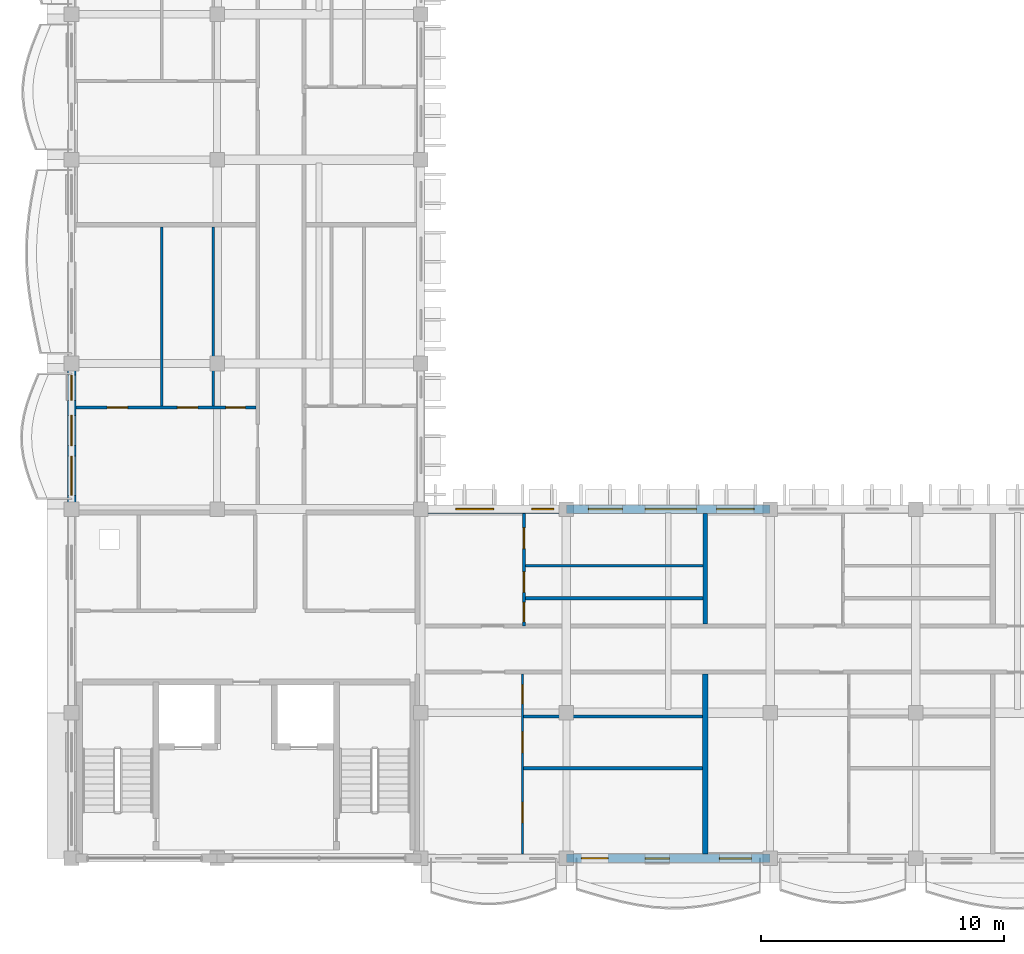
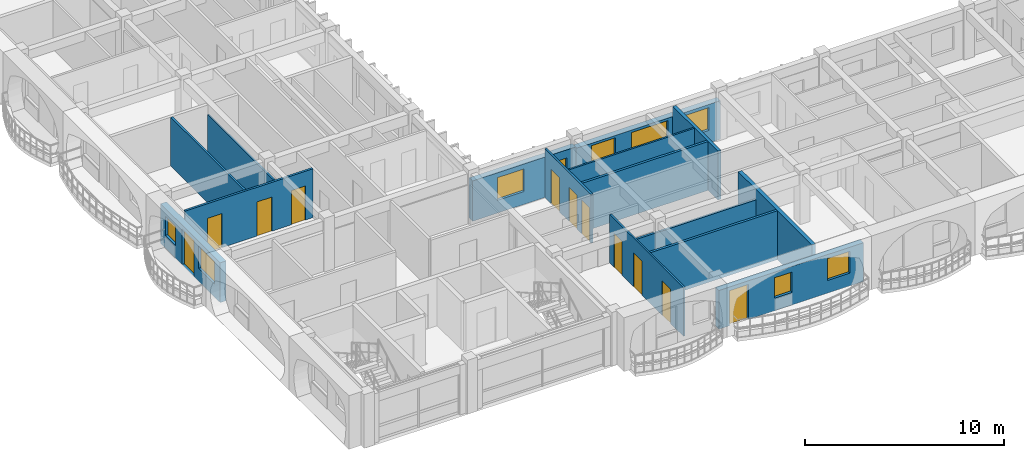
# One storey, part 42 of 101: 15 walls, 11 doors, 9 windows, 20 openings.
"""IFC4 building model written with IfcOpenShell, lengths in metres."""

from ifc_helpers import new_model, si_unit, direction, frame, frame_2d, origin, place, context, subcontext, project, spatial, rectangle, extrude, material, layer, layer_set, type_object, element, fill, save


model = new_model("IFC4")

# Units and contexts
model_context = context("Model", 3, precision=1e-05, world=origin(), true_north=direction((0.0, 1.0)))
body_context = subcontext(model_context, "Body", "Model", "MODEL_VIEW")
ifc_project = project(units=[si_unit("LENGTHUNIT", "METRE"), si_unit("AREAUNIT", "SQUARE_METRE"), si_unit("VOLUMEUNIT", "CUBIC_METRE"), si_unit("PLANEANGLEUNIT", "RADIAN"), si_unit("MASSUNIT", "GRAM", prefix="KILO"), si_unit("THERMODYNAMICTEMPERATUREUNIT", "KELVIN")], contexts=[model_context])

# Site, building, storey
site_placement = place(None, origin())
site = spatial("IfcSite", under=ifc_project, at=site_placement, CompositionType="ELEMENT")
building_placement = place(site_placement, origin())
building = spatial("IfcBuilding", under=site, at=building_placement, Name="Thalorik Housing Commons", CompositionType="ELEMENT")
storey_placement = place(building_placement, frame((0.0, 0.0, 8.10009765625)))
storey = spatial("IfcBuildingStorey", under=building, at=storey_placement, Name="L02", CompositionType="ELEMENT", Elevation=8.10009765625)

# Wall, openings, door, windows
ifc_material_1 = material(Name="White precast concrete C40/50", Category="concrete")
ifc_layer_1 = layer(ifc_material_1, 0.35009765625, Name="White precast concrete C40/50", Category="concrete")
ifc_layer_set_1 = layer_set([ifc_layer_1], Name="White precast concrete C40/50")
wall_type_1 = type_object("IfcWallType", Name="ARC-WAL-EXT-350", PredefinedType="STANDARD", material=ifc_layer_set_1)
wall_1_placement = place(storey_placement, frame((8.39990234375, 28.800048828125, 0.0), z_axis=(0.0, 0.0, 1.0), x_axis=(0.0, -1.0, 0.0)))
wall_1 = element("IfcWall", 1, at=wall_1_placement, inside=storey, type_object=wall_type_1, Name="L02 Exterior Wall WAL-EXT-L02-C-0888", PredefinedType="STANDARD", context=body_context, shape_type="SweptSolid", body=[
    extrude(rectangle(XDim=6.0, YDim=0.35009765625, at=frame_2d((3.0, 0.0))), origin(), (0.0, 0.0, 1.0), 2.44482421875),
])
opening_1_placement = place(wall_1_placement, frame((2.139892578125, 0.0, 0.0)))
opening_1 = element("IfcOpeningElement", 2, at=opening_1_placement, cuts=wall_1, Name="Opening ED-0292", PredefinedType="OPENING", context=body_context, shape_type="SweptSolid", body=[
    extrude(rectangle(XDim=1.25, YDim=2.199951171875, at=frame_2d((0.625, 1.10009765625))), frame((0.0, 0.18505859375, 0.0), z_axis=(0.0, -1.0, 0.0), x_axis=(1.0, 0.0, 0.0)), (0.0, 0.0, 1.0), 0.3701171875),
])
opening_2_placement = place(wall_1_placement, frame((0.47509765625, 0.0, 0.780029296875)))
opening_2 = element("IfcOpeningElement", 3, at=opening_2_placement, cuts=wall_1, Name="Opening W-44", PredefinedType="OPENING", context=body_context, shape_type="SweptSolid", body=[
    extrude(rectangle(XDim=1.050048828125, YDim=1.199951171875, at=frame_2d((0.52490234375, 0.60009765625))), frame((0.0, 0.18505859375, 0.0), z_axis=(0.0, -1.0, 0.0), x_axis=(1.0, 0.0, 0.0)), (0.0, 0.0, 1.0), 0.3701171875),
])
opening_3_placement = place(wall_1_placement, frame((3.81494140625, 0.0, 0.780029296875)))
opening_3 = element("IfcOpeningElement", 4, at=opening_3_placement, cuts=wall_1, Name="Opening W-54", PredefinedType="OPENING", context=body_context, shape_type="SweptSolid", body=[
    extrude(rectangle(XDim=1.6201171875, YDim=1.3798828125, at=frame_2d((0.81005859375, 0.68994140625))), frame((0.0, 0.18505859375, 0.0), z_axis=(0.0, -1.0, 0.0), x_axis=(1.0, 0.0, 0.0)), (0.0, 0.0, 1.0), 0.3701171875),
])
ifc_material_2 = material(Name="Anodised aluminium and laminated safety glass", Category="aluminium")
door_type_1 = type_object("IfcDoorType", Name="ARC-DR-BAL-1250", OperationType="NOTDEFINED", PredefinedType="DOOR", material=ifc_material_2)
door_1_placement = place(opening_1_placement, frame((1.25, 0.0, 0.0), z_axis=(0.0, 0.0, 1.0), x_axis=(-1.0, 0.0, 0.0)))
door_1 = element("IfcDoor", 5, at=door_1_placement, inside=storey, type_object=door_type_1, Name="L02 Block C Balcony Glazed Door", OperationType="SINGLE_SWING_LEFT", OverallHeight=2.199951171875, OverallWidth=1.25, PredefinedType="DOOR", context=body_context, shape_type="SweptSolid", body=[
    extrude(rectangle(XDim=1.25, YDim=2.199951171875, at=frame_2d((0.625, 1.10009765625))), frame((0.0, 0.02490234375, 0.0), z_axis=(0.0, -1.0, 0.0), x_axis=(1.0, 0.0, 0.0)), (0.0, 0.0, 1.0), 0.050048828125),
])
fill(opening_1, door_1)
ifc_material_3 = material(Name="Anodised aluminium and solar-control low-E glass", Category="aluminium")
window_type_1 = type_object("IfcWindowType", Name="ARC-WIN-44", PartitioningType="SINGLE_PANEL", PredefinedType="WINDOW", material=ifc_material_3)
window_1_placement = place(opening_2_placement, origin())
window_1 = element("IfcWindow", 6, at=window_1_placement, inside=storey, type_object=window_type_1, Name="L02 Facade Window 1643", OverallHeight=1.199951171875, OverallWidth=1.050048828125, PartitioningType="SINGLE_PANEL", PredefinedType="WINDOW", context=body_context, shape_type="SweptSolid", body=[
    extrude(rectangle(XDim=1.050048828125, YDim=1.199951171875, at=frame_2d((0.52490234375, 0.60009765625))), frame((0.0, 0.030029296875, 0.0), z_axis=(0.0, -1.0, 0.0), x_axis=(1.0, 0.0, 0.0)), (0.0, 0.0, 1.0), 0.06005859375),
])
fill(opening_2, window_1)
window_type_2 = type_object("IfcWindowType", Name="ARC-WIN-54", PartitioningType="DOUBLE_PANEL_VERTICAL", PredefinedType="WINDOW", material=ifc_material_3)
window_2_placement = place(opening_3_placement, origin())
window_2 = element("IfcWindow", 7, at=window_2_placement, inside=storey, type_object=window_type_2, Name="L02 Facade Window 1644", OverallHeight=1.3798828125, OverallWidth=1.6201171875, PartitioningType="DOUBLE_PANEL_VERTICAL", PredefinedType="WINDOW", context=body_context, shape_type="SweptSolid", body=[
    extrude(rectangle(XDim=1.6201171875, YDim=1.3798828125, at=frame_2d((0.81005859375, 0.68994140625))), frame((0.0, 0.030029296875, 0.0), z_axis=(0.0, -1.0, 0.0), x_axis=(1.0, 0.0, 0.0)), (0.0, 0.0, 1.0), 0.06005859375),
])
fill(opening_3, window_2)

wall_2_placement = place(storey_placement, frame((28.800048828125, 8.39990234375, 0.0), z_axis=(0.0, 0.0, 1.0), x_axis=(1.0, 0.0, 0.0)))
wall_2 = element("IfcWall", 8, at=wall_2_placement, inside=storey, type_object=wall_type_1, Name="L02 Exterior Wall WAL-EXT-L02-C-0894", PredefinedType="STANDARD", context=body_context, shape_type="SweptSolid", body=[
    extrude(rectangle(XDim=8.39990234375, YDim=0.35009765625, at=frame_2d((4.199951171875, 0.0))), origin(), (0.0, 0.0, 1.0), 2.375),
])
opening_4_placement = place(wall_2_placement, frame((0.6201171875, 0.0, 0.0)))
opening_4 = element("IfcOpeningElement", 9, at=opening_4_placement, cuts=wall_2, Name="Opening ED-0294", PredefinedType="OPENING", context=body_context, shape_type="SweptSolid", body=[
    extrude(rectangle(XDim=1.10009765625, YDim=2.14990234375, at=frame_2d((0.550048828125, 1.074951171875))), frame((0.0, 0.18505859375, 0.0), z_axis=(0.0, -1.0, 0.0), x_axis=(1.0, 0.0, 0.0)), (0.0, 0.0, 1.0), 0.3701171875),
])
opening_5_placement = place(wall_2_placement, frame((3.2451171875, 0.0, 0.780029296875)))
opening_5 = element("IfcOpeningElement", 10, at=opening_5_placement, cuts=wall_2, Name="Opening W-02", PredefinedType="OPENING", context=body_context, shape_type="SweptSolid", body=[
    extrude(rectangle(XDim=1.0, YDim=1.25, at=frame_2d((0.5, 0.625))), frame((0.0, 0.18505859375, 0.0), z_axis=(0.0, -1.0, 0.0), x_axis=(1.0, 0.0, 0.0)), (0.0, 0.0, 1.0), 0.3701171875),
])
opening_6_placement = place(wall_2_placement, frame((6.304931640625, 0.0, 0.780029296875)))
opening_6 = element("IfcOpeningElement", 11, at=opening_6_placement, cuts=wall_2, Name="Opening W-48", PredefinedType="OPENING", context=body_context, shape_type="SweptSolid", body=[
    extrude(rectangle(XDim=1.320068359375, YDim=1.35009765625, at=frame_2d((0.66015625, 0.675048828125))), frame((0.0, 0.18505859375, 0.0), z_axis=(0.0, -1.0, 0.0), x_axis=(1.0, 0.0, 0.0)), (0.0, 0.0, 1.0), 0.3701171875),
])
door_type_2 = type_object("IfcDoorType", Name="ARC-DR-BAL-1100", OperationType="NOTDEFINED", PredefinedType="DOOR", material=ifc_material_2)
door_2_placement = place(opening_4_placement, frame((1.10009765625, 0.0, 0.0), z_axis=(0.0, 0.0, 1.0), x_axis=(-1.0, 0.0, 0.0)))
door_2 = element("IfcDoor", 12, at=door_2_placement, inside=storey, type_object=door_type_2, Name="L02 Block C Balcony Glazed Door", OperationType="SINGLE_SWING_LEFT", OverallHeight=2.14990234375, OverallWidth=1.10009765625, PredefinedType="DOOR", context=body_context, shape_type="SweptSolid", body=[
    extrude(rectangle(XDim=1.10009765625, YDim=2.14990234375, at=frame_2d((0.550048828125, 1.074951171875))), frame((0.0, 0.02490234375, 0.0), z_axis=(0.0, -1.0, 0.0), x_axis=(1.0, 0.0, 0.0)), (0.0, 0.0, 1.0), 0.050048828125),
])
fill(opening_4, door_2)
window_type_3 = type_object("IfcWindowType", Name="ARC-WIN-02", PartitioningType="SINGLE_PANEL", PredefinedType="WINDOW", material=ifc_material_3)
window_3_placement = place(opening_5_placement, origin())
window_3 = element("IfcWindow", 13, at=window_3_placement, inside=storey, type_object=window_type_3, Name="L02 Facade Window 1651", OverallHeight=1.25, OverallWidth=1.0, PartitioningType="SINGLE_PANEL", PredefinedType="WINDOW", context=body_context, shape_type="SweptSolid", body=[
    extrude(rectangle(XDim=1.0, YDim=1.25, at=frame_2d((0.5, 0.625))), frame((0.0, 0.030029296875, 0.0), z_axis=(0.0, -1.0, 0.0), x_axis=(1.0, 0.0, 0.0)), (0.0, 0.0, 1.0), 0.06005859375),
])
fill(opening_5, window_3)
window_type_4 = type_object("IfcWindowType", Name="ARC-WIN-48", PartitioningType="SINGLE_PANEL", PredefinedType="WINDOW", material=ifc_material_3)
window_4_placement = place(opening_6_placement, origin())
window_4 = element("IfcWindow", 14, at=window_4_placement, inside=storey, type_object=window_type_4, Name="L02 Facade Window 1652", OverallHeight=1.35009765625, OverallWidth=1.320068359375, PartitioningType="SINGLE_PANEL", PredefinedType="WINDOW", context=body_context, shape_type="SweptSolid", body=[
    extrude(rectangle(XDim=1.320068359375, YDim=1.35009765625, at=frame_2d((0.66015625, 0.675048828125))), frame((0.0, 0.030029296875, 0.0), z_axis=(0.0, -1.0, 0.0), x_axis=(1.0, 0.0, 0.0)), (0.0, 0.0, 1.0), 0.06005859375),
])
fill(opening_6, window_4)

# Wall, openings, windows
wall_3_placement = place(storey_placement, frame((37.199951171875, 22.800048828125, 0.0), z_axis=(0.0, 0.0, 1.0), x_axis=(-1.0, 0.0, 0.0)))
wall_3 = element("IfcWall", 15, at=wall_3_placement, inside=storey, type_object=wall_type_1, Name="L02 Exterior Wall WAL-EXT-L02-C-0903", PredefinedType="STANDARD", context=body_context, shape_type="SweptSolid", body=[
    extrude(rectangle(XDim=8.39990234375, YDim=0.35009765625, at=frame_2d((4.199951171875, 0.0))), origin(), (0.0, 0.0, 1.0), 2.375),
])
opening_7_placement = place(wall_3_placement, frame((0.659912109375, 0.0, 0.780029296875)))
opening_7 = element("IfcOpeningElement", 16, at=opening_7_placement, cuts=wall_3, Name="Opening W-12", PredefinedType="OPENING", context=body_context, shape_type="SweptSolid", body=[
    extrude(rectangle(XDim=1.550048828125, YDim=1.39990234375, at=frame_2d((0.77490234375, 0.699951171875))), frame((0.0, 0.18505859375, 0.0), z_axis=(0.0, -1.0, 0.0), x_axis=(1.0, 0.0, 0.0)), (0.0, 0.0, 1.0), 0.3701171875),
])
opening_8_placement = place(wall_3_placement, frame((3.03759765625, 0.0, 0.780029296875)))
opening_8 = element("IfcOpeningElement", 17, at=opening_8_placement, cuts=wall_3, Name="Opening W-64", PredefinedType="OPENING", context=body_context, shape_type="SweptSolid", body=[
    extrude(rectangle(XDim=2.1201171875, YDim=1.43994140625, at=frame_2d((1.06005859375, 0.719970703125))), frame((0.0, 0.18505859375, 0.0), z_axis=(0.0, -1.0, 0.0), x_axis=(1.0, 0.0, 0.0)), (0.0, 0.0, 1.0), 0.3701171875),
])
opening_9_placement = place(wall_3_placement, frame((6.092529296875, 0.0, 0.780029296875)))
opening_9 = element("IfcOpeningElement", 18, at=opening_9_placement, cuts=wall_3, Name="Opening W-08", PredefinedType="OPENING", context=body_context, shape_type="SweptSolid", body=[
    extrude(rectangle(XDim=1.39990234375, YDim=1.449951171875, at=frame_2d((0.699951171875, 0.72509765625))), frame((0.0, 0.18505859375, 0.0), z_axis=(0.0, -1.0, 0.0), x_axis=(1.0, 0.0, 0.0)), (0.0, 0.0, 1.0), 0.3701171875),
])
window_type_5 = type_object("IfcWindowType", Name="ARC-WIN-08", PartitioningType="SINGLE_PANEL", PredefinedType="WINDOW", material=ifc_material_3)
window_5_placement = place(opening_9_placement, origin())
window_5 = element("IfcWindow", 19, at=window_5_placement, inside=storey, type_object=window_type_5, Name="L02 Facade Window 1672", OverallHeight=1.449951171875, OverallWidth=1.39990234375, PartitioningType="SINGLE_PANEL", PredefinedType="WINDOW", context=body_context, shape_type="SweptSolid", body=[
    extrude(rectangle(XDim=1.39990234375, YDim=1.449951171875, at=frame_2d((0.699951171875, 0.72509765625))), frame((0.0, 0.030029296875, 0.0), z_axis=(0.0, -1.0, 0.0), x_axis=(1.0, 0.0, 0.0)), (0.0, 0.0, 1.0), 0.06005859375),
])
fill(opening_9, window_5)
window_type_6 = type_object("IfcWindowType", Name="ARC-WIN-12", PartitioningType="SINGLE_PANEL", PredefinedType="WINDOW", material=ifc_material_3)
window_6_placement = place(opening_7_placement, origin())
window_6 = element("IfcWindow", 20, at=window_6_placement, inside=storey, type_object=window_type_6, Name="L02 Facade Window 1670", OverallHeight=1.39990234375, OverallWidth=1.550048828125, PartitioningType="SINGLE_PANEL", PredefinedType="WINDOW", context=body_context, shape_type="SweptSolid", body=[
    extrude(rectangle(XDim=1.550048828125, YDim=1.39990234375, at=frame_2d((0.77490234375, 0.699951171875))), frame((0.0, 0.030029296875, 0.0), z_axis=(0.0, -1.0, 0.0), x_axis=(1.0, 0.0, 0.0)), (0.0, 0.0, 1.0), 0.06005859375),
])
fill(opening_7, window_6)
window_type_7 = type_object("IfcWindowType", Name="ARC-WIN-64", PartitioningType="DOUBLE_PANEL_VERTICAL", PredefinedType="WINDOW", material=ifc_material_3)
window_7_placement = place(opening_8_placement, origin())
window_7 = element("IfcWindow", 21, at=window_7_placement, inside=storey, type_object=window_type_7, Name="L02 Facade Window 1671", OverallHeight=1.43994140625, OverallWidth=2.1201171875, PartitioningType="DOUBLE_PANEL_VERTICAL", PredefinedType="WINDOW", context=body_context, shape_type="SweptSolid", body=[
    extrude(rectangle(XDim=2.1201171875, YDim=1.43994140625, at=frame_2d((1.06005859375, 0.719970703125))), frame((0.0, 0.030029296875, 0.0), z_axis=(0.0, -1.0, 0.0), x_axis=(1.0, 0.0, 0.0)), (0.0, 0.0, 1.0), 0.06005859375),
])
fill(opening_8, window_7)

wall_4_placement = place(storey_placement, frame((28.800048828125, 22.800048828125, 0.0), z_axis=(0.0, 0.0, 1.0), x_axis=(-1.0, 0.0, 0.0)))
wall_4 = element("IfcWall", 22, at=wall_4_placement, inside=storey, type_object=wall_type_1, Name="L02 Exterior Wall WAL-EXT-L02-C-0904", PredefinedType="STANDARD", context=body_context, shape_type="SweptSolid", body=[
    extrude(rectangle(XDim=6.0, YDim=0.35009765625, at=frame_2d((3.0, 0.0))), origin(), (0.0, 0.0, 1.0), 2.474853515625),
])
opening_10_placement = place(wall_4_placement, frame((0.5185546875, 0.0, 0.780029296875)))
opening_10 = element("IfcOpeningElement", 23, at=opening_10_placement, cuts=wall_4, Name="Opening W-01", PredefinedType="OPENING", context=body_context, shape_type="SweptSolid", body=[
    extrude(rectangle(XDim=0.89990234375, YDim=1.199951171875, at=frame_2d((0.449951171875, 0.60009765625))), frame((0.0, 0.18505859375, 0.0), z_axis=(0.0, -1.0, 0.0), x_axis=(1.0, 0.0, 0.0)), (0.0, 0.0, 1.0), 0.3701171875),
])
opening_11_placement = place(wall_4_placement, frame((3.003662109375, 0.0, 0.780029296875)))
opening_11 = element("IfcOpeningElement", 24, at=opening_11_placement, cuts=wall_4, Name="Opening W-12", PredefinedType="OPENING", context=body_context, shape_type="SweptSolid", body=[
    extrude(rectangle(XDim=1.550048828125, YDim=1.39990234375, at=frame_2d((0.77490234375, 0.699951171875))), frame((0.0, 0.18505859375, 0.0), z_axis=(0.0, -1.0, 0.0), x_axis=(1.0, 0.0, 0.0)), (0.0, 0.0, 1.0), 0.3701171875),
])
window_type_8 = type_object("IfcWindowType", Name="ARC-WIN-01", PartitioningType="SINGLE_PANEL", PredefinedType="WINDOW", material=ifc_material_3)
window_8_placement = place(opening_10_placement, origin())
window_8 = element("IfcWindow", 25, at=window_8_placement, inside=storey, type_object=window_type_8, Name="L02 Facade Window 1673", OverallHeight=1.199951171875, OverallWidth=0.89990234375, PartitioningType="SINGLE_PANEL", PredefinedType="WINDOW", context=body_context, shape_type="SweptSolid", body=[
    extrude(rectangle(XDim=0.89990234375, YDim=1.199951171875, at=frame_2d((0.449951171875, 0.60009765625))), frame((0.0, 0.030029296875, 0.0), z_axis=(0.0, -1.0, 0.0), x_axis=(1.0, 0.0, 0.0)), (0.0, 0.0, 1.0), 0.06005859375),
])
fill(opening_10, window_8)
window_9_placement = place(opening_11_placement, origin())
window_9 = element("IfcWindow", 26, at=window_9_placement, inside=storey, type_object=window_type_6, Name="L02 Facade Window 1674", OverallHeight=1.39990234375, OverallWidth=1.550048828125, PartitioningType="SINGLE_PANEL", PredefinedType="WINDOW", context=body_context, shape_type="SweptSolid", body=[
    extrude(rectangle(XDim=1.550048828125, YDim=1.39990234375, at=frame_2d((0.77490234375, 0.699951171875))), frame((0.0, 0.030029296875, 0.0), z_axis=(0.0, -1.0, 0.0), x_axis=(1.0, 0.0, 0.0)), (0.0, 0.0, 1.0), 0.06005859375),
])
fill(opening_11, window_9)

# Wall
ifc_material_4 = material(Name="Gypsum light stud partition", Category="masonry")
ifc_layer_2 = layer(ifc_material_4, 0.10009765625, Name="Gypsum light stud partition", Category="masonry")
ifc_layer_set_2 = layer_set([ifc_layer_2], Name="Gypsum light stud partition")
wall_type_2 = type_object("IfcWallType", Name="ARC-WAL-PART-100", PredefinedType="PARTITIONING", material=ifc_layer_set_2)
wall_5_placement = place(storey_placement, frame((14.251220703125, 27.054443359375, 0.0), z_axis=(0.0, 0.0, 1.0), x_axis=(0.0, 1.0, 0.0)))
element("IfcWall", 27, at=wall_5_placement, inside=storey, type_object=wall_type_2, Name="L02 Unit 1 Wet Wall", PredefinedType="PARTITIONING", context=body_context, shape_type="SweptSolid", body=[
    extrude(rectangle(XDim=7.37109375, YDim=0.10009765625, at=frame_2d((3.685546875, 0.0))), origin(), (0.0, 0.0, 1.0), 2.4248046875),
])

# Wall, openings, doors
wall_6_placement = place(storey_placement, frame((26.989990234375, 8.576904296875, 0.0), z_axis=(0.0, 0.0, 1.0), x_axis=(0.0, 1.0, 0.0)))
wall_6 = element("IfcWall", 28, at=wall_6_placement, inside=storey, type_object=wall_type_2, Name="L02 Unit 1 Spine Partition", PredefinedType="PARTITIONING", context=body_context, shape_type="SweptSolid", body=[
    extrude(rectangle(XDim=7.426025390625, YDim=0.10009765625, at=frame_2d((3.712890625, 0.0))), origin(), (0.0, 0.0, 1.0), 3.0),
])
opening_12_placement = place(wall_6_placement, frame((1.286865234375, 0.0, 0.0)))
opening_12 = element("IfcOpeningElement", 29, at=opening_12_placement, cuts=wall_6, Name="Opening ID-1626", PredefinedType="OPENING", context=body_context, shape_type="SweptSolid", body=[
    extrude(rectangle(XDim=0.85009765625, YDim=2.10009765625, at=frame_2d((0.425048828125, 1.050048828125))), frame((0.0, 0.06005859375, 0.0), z_axis=(0.0, -1.0, 0.0), x_axis=(1.0, 0.0, 0.0)), (0.0, 0.0, 1.0), 0.1201171875),
])
opening_13_placement = place(wall_6_placement, frame((4.182373046875, 0.0, 0.0)))
opening_13 = element("IfcOpeningElement", 30, at=opening_13_placement, cuts=wall_6, Name="Opening ID-1627", PredefinedType="OPENING", context=body_context, shape_type="SweptSolid", body=[
    extrude(rectangle(XDim=0.85009765625, YDim=2.10009765625, at=frame_2d((0.425048828125, 1.050048828125))), frame((0.0, 0.06005859375, 0.0), z_axis=(0.0, -1.0, 0.0), x_axis=(1.0, 0.0, 0.0)), (0.0, 0.0, 1.0), 0.1201171875),
])
opening_14_placement = place(wall_6_placement, frame((6.188720703125, 0.0, 0.0)))
opening_14 = element("IfcOpeningElement", 31, at=opening_14_placement, cuts=wall_6, Name="Opening ID-1628", PredefinedType="OPENING", context=body_context, shape_type="SweptSolid", body=[
    extrude(rectangle(XDim=0.800048828125, YDim=2.10009765625, at=frame_2d((0.39990234375, 1.050048828125))), frame((0.0, 0.06005859375, 0.0), z_axis=(0.0, -1.0, 0.0), x_axis=(1.0, 0.0, 0.0)), (0.0, 0.0, 1.0), 0.1201171875),
])
ifc_material_5 = material(Name="Moisture-resistant timber", Category="wood")
door_type_3 = type_object("IfcDoorType", Name="ARC-DR-INT-800", OperationType="NOTDEFINED", PredefinedType="DOOR", material=ifc_material_5)
door_3_placement = place(opening_14_placement, origin())
door_3 = element("IfcDoor", 32, at=door_3_placement, inside=storey, type_object=door_type_3, Name="L02 Accessible Bathroom Door", OperationType="SINGLE_SWING_LEFT", OverallHeight=2.10009765625, OverallWidth=0.800048828125, PredefinedType="DOOR", context=body_context, shape_type="SweptSolid", body=[
    extrude(rectangle(XDim=0.800048828125, YDim=2.10009765625, at=frame_2d((0.39990234375, 1.050048828125))), frame((0.0, 0.02490234375, 0.0), z_axis=(0.0, -1.0, 0.0), x_axis=(1.0, 0.0, 0.0)), (0.0, 0.0, 1.0), 0.050048828125),
])
fill(opening_14, door_3)
ifc_material_6 = material(Name="Engineered oak timber", Category="wood")
door_type_4 = type_object("IfcDoorType", Name="ARC-DR-INT-850", OperationType="NOTDEFINED", PredefinedType="DOOR", material=ifc_material_6)
door_4_placement = place(opening_12_placement, origin())
door_4 = element("IfcDoor", 33, at=door_4_placement, inside=storey, type_object=door_type_4, Name="L02 Double Bedroom Door", OperationType="SINGLE_SWING_LEFT", OverallHeight=2.10009765625, OverallWidth=0.85009765625, PredefinedType="DOOR", context=body_context, shape_type="SweptSolid", body=[
    extrude(rectangle(XDim=0.85009765625, YDim=2.10009765625, at=frame_2d((0.425048828125, 1.050048828125))), frame((0.0, 0.02490234375, 0.0), z_axis=(0.0, -1.0, 0.0), x_axis=(1.0, 0.0, 0.0)), (0.0, 0.0, 1.0), 0.050048828125),
])
fill(opening_12, door_4)
door_5_placement = place(opening_13_placement, origin())
door_5 = element("IfcDoor", 34, at=door_5_placement, inside=storey, type_object=door_type_4, Name="L02 Galley Kitchen Door", OperationType="SINGLE_SWING_RIGHT", OverallHeight=2.10009765625, OverallWidth=0.85009765625, PredefinedType="DOOR", context=body_context, shape_type="SweptSolid", body=[
    extrude(rectangle(XDim=0.85009765625, YDim=2.10009765625, at=frame_2d((0.425048828125, 1.050048828125))), frame((0.0, 0.02490234375, 0.0), z_axis=(0.0, -1.0, 0.0), x_axis=(1.0, 0.0, 0.0)), (0.0, 0.0, 1.0), 0.050048828125),
])
fill(opening_13, door_5)

# Walls
wall_7_placement = place(storey_placement, frame((27.1123046875, 20.455078125, 0.0), z_axis=(0.0, 0.0, 1.0), x_axis=(1.0, 0.0, 0.0)))
element("IfcWall", 35, at=wall_7_placement, inside=storey, type_object=wall_type_2, Name="L02 Unit 1B Bedroom Partition", PredefinedType="PARTITIONING", context=body_context, shape_type="SweptSolid", body=[
    extrude(rectangle(XDim=7.313232421875, YDim=0.10009765625, at=frame_2d((3.65673828125, 0.0))), origin(), (0.0, 0.0, 1.0), 3.0),
])
ifc_material_7 = material(Name="Gypsum moisture-resistant partition", Category="masonry")
ifc_layer_3 = layer(ifc_material_7, 0.114990234375, Name="Gypsum moisture-resistant partition", Category="masonry")
ifc_layer_set_3 = layer_set([ifc_layer_3], Name="Gypsum moisture-resistant partition")
wall_type_3 = type_object("IfcWallType", Name="ARC-WAL-PART-115", PredefinedType="PARTITIONING", material=ifc_layer_set_3)
wall_8_placement = place(storey_placement, frame((12.11767578125, 27.054443359375, 0.0), z_axis=(0.0, 0.0, 1.0), x_axis=(0.0, 1.0, 0.0)))
element("IfcWall", 36, at=wall_8_placement, inside=storey, type_object=wall_type_3, Name="L02 Unit 1 Bedroom Partition", PredefinedType="PARTITIONING", context=body_context, shape_type="SweptSolid", body=[
    extrude(rectangle(XDim=7.37109375, YDim=0.114990234375, at=frame_2d((3.685546875, 0.0))), origin(), (0.0, 0.0, 1.0), 3.0),
])

# Wall, openings, doors
wall_9_placement = place(storey_placement, frame((27.052734375, 17.97998046875, 0.0), z_axis=(0.0, 0.0, 1.0), x_axis=(0.0, 1.0, 0.0)))
wall_9 = element("IfcWall", 37, at=wall_9_placement, inside=storey, type_object=wall_type_3, Name="L02 Unit 1B Spine Partition", PredefinedType="PARTITIONING", context=body_context, shape_type="SweptSolid", body=[
    extrude(rectangle(XDim=4.64306640625, YDim=0.114990234375, at=frame_2d((2.321533203125, 0.0))), origin(), (0.0, 0.0, 1.0), 3.0),
])
opening_15_placement = place(wall_9_placement, frame((0.171142578125, 0.0, 0.0)))
opening_15 = element("IfcOpeningElement", 38, at=opening_15_placement, cuts=wall_9, Name="Opening ID-1629", PredefinedType="OPENING", context=body_context, shape_type="SweptSolid", body=[
    extrude(rectangle(XDim=0.800048828125, YDim=2.10009765625, at=frame_2d((0.39990234375, 1.050048828125))), frame((0.0, 0.0673828125, 0.0), z_axis=(0.0, -1.0, 0.0), x_axis=(1.0, 0.0, 0.0)), (0.0, 0.0, 1.0), 0.135009765625),
])
opening_16_placement = place(wall_9_placement, frame((1.3837890625, 0.0, 0.0)))
opening_16 = element("IfcOpeningElement", 39, at=opening_16_placement, cuts=wall_9, Name="Opening ID-1630", PredefinedType="OPENING", context=body_context, shape_type="SweptSolid", body=[
    extrude(rectangle(XDim=0.85009765625, YDim=2.10009765625, at=frame_2d((0.425048828125, 1.050048828125))), frame((0.0, 0.0673828125, 0.0), z_axis=(0.0, -1.0, 0.0), x_axis=(1.0, 0.0, 0.0)), (0.0, 0.0, 1.0), 0.135009765625),
])
opening_17_placement = place(wall_9_placement, frame((3.192626953125, 0.0, 0.0)))
opening_17 = element("IfcOpeningElement", 40, at=opening_17_placement, cuts=wall_9, Name="Opening ID-1631", PredefinedType="OPENING", context=body_context, shape_type="SweptSolid", body=[
    extrude(rectangle(XDim=0.85009765625, YDim=2.10009765625, at=frame_2d((0.425048828125, 1.050048828125))), frame((0.0, 0.0673828125, 0.0), z_axis=(0.0, -1.0, 0.0), x_axis=(1.0, 0.0, 0.0)), (0.0, 0.0, 1.0), 0.135009765625),
])
door_6_placement = place(opening_15_placement, origin())
door_6 = element("IfcDoor", 41, at=door_6_placement, inside=storey, type_object=door_type_3, Name="L02 Flat Bathroom Door", OperationType="SINGLE_SWING_RIGHT", OverallHeight=2.10009765625, OverallWidth=0.800048828125, PredefinedType="DOOR", context=body_context, shape_type="SweptSolid", body=[
    extrude(rectangle(XDim=0.800048828125, YDim=2.10009765625, at=frame_2d((0.39990234375, 1.050048828125))), frame((0.0, 0.02490234375, 0.0), z_axis=(0.0, -1.0, 0.0), x_axis=(1.0, 0.0, 0.0)), (0.0, 0.0, 1.0), 0.050048828125),
])
fill(opening_15, door_6)
door_7_placement = place(opening_16_placement, origin())
door_7 = element("IfcDoor", 42, at=door_7_placement, inside=storey, type_object=door_type_4, Name="L02 Galley Kitchen Door", OperationType="SINGLE_SWING_LEFT", OverallHeight=2.10009765625, OverallWidth=0.85009765625, PredefinedType="DOOR", context=body_context, shape_type="SweptSolid", body=[
    extrude(rectangle(XDim=0.85009765625, YDim=2.10009765625, at=frame_2d((0.425048828125, 1.050048828125))), frame((0.0, 0.02490234375, 0.0), z_axis=(0.0, -1.0, 0.0), x_axis=(1.0, 0.0, 0.0)), (0.0, 0.0, 1.0), 0.050048828125),
])
fill(opening_16, door_7)
door_8_placement = place(opening_17_placement, origin())
door_8 = element("IfcDoor", 43, at=door_8_placement, inside=storey, type_object=door_type_4, Name="L02 Double Bedroom Door", OperationType="SINGLE_SWING_RIGHT", OverallHeight=2.10009765625, OverallWidth=0.85009765625, PredefinedType="DOOR", context=body_context, shape_type="SweptSolid", body=[
    extrude(rectangle(XDim=0.85009765625, YDim=2.10009765625, at=frame_2d((0.425048828125, 1.050048828125))), frame((0.0, 0.02490234375, 0.0), z_axis=(0.0, -1.0, 0.0), x_axis=(1.0, 0.0, 0.0)), (0.0, 0.0, 1.0), 0.050048828125),
])
fill(opening_17, door_8)

ifc_material_8 = material(Name="Gypsum acoustic stud partition", Category="masonry")
ifc_layer_4 = layer(ifc_material_8, 0.125, Name="Gypsum acoustic stud partition", Category="masonry")
ifc_layer_set_4 = layer_set([ifc_layer_4], Name="Gypsum acoustic stud partition")
wall_type_4 = type_object("IfcWallType", Name="ARC-WAL-PART-125", PredefinedType="PARTITIONING", material=ifc_layer_set_4)
wall_10_placement = place(storey_placement, frame((8.576904296875, 26.989990234375, 0.0), z_axis=(0.0, 0.0, 1.0), x_axis=(1.0, 0.0, 0.0)))
wall_10 = element("IfcWall", 44, at=wall_10_placement, inside=storey, type_object=wall_type_4, Name="L02 Unit 1 Spine Partition", PredefinedType="PARTITIONING", context=body_context, shape_type="SweptSolid", body=[
    extrude(rectangle(XDim=7.426025390625, YDim=0.125, at=frame_2d((3.712890625, 0.0))), origin(), (0.0, 0.0, 1.0), 3.0),
])
opening_18_placement = place(wall_10_placement, frame((1.286865234375, 0.0, 0.0)))
opening_18 = element("IfcOpeningElement", 45, at=opening_18_placement, cuts=wall_10, Name="Opening ID-1602", PredefinedType="OPENING", context=body_context, shape_type="SweptSolid", body=[
    extrude(rectangle(XDim=0.85009765625, YDim=2.10009765625, at=frame_2d((0.425048828125, 1.050048828125))), frame((0.0, 0.072509765625, 0.0), z_axis=(0.0, -1.0, 0.0), x_axis=(1.0, 0.0, 0.0)), (0.0, 0.0, 1.0), 0.14501953125),
])
opening_19_placement = place(wall_10_placement, frame((4.182373046875, 0.0, 0.0)))
opening_19 = element("IfcOpeningElement", 46, at=opening_19_placement, cuts=wall_10, Name="Opening ID-1603", PredefinedType="OPENING", context=body_context, shape_type="SweptSolid", body=[
    extrude(rectangle(XDim=0.85009765625, YDim=2.10009765625, at=frame_2d((0.425048828125, 1.050048828125))), frame((0.0, 0.072509765625, 0.0), z_axis=(0.0, -1.0, 0.0), x_axis=(1.0, 0.0, 0.0)), (0.0, 0.0, 1.0), 0.14501953125),
])
opening_20_placement = place(wall_10_placement, frame((6.188720703125, 0.0, 0.0)))
opening_20 = element("IfcOpeningElement", 47, at=opening_20_placement, cuts=wall_10, Name="Opening ID-1604", PredefinedType="OPENING", context=body_context, shape_type="SweptSolid", body=[
    extrude(rectangle(XDim=0.800048828125, YDim=2.10009765625, at=frame_2d((0.39990234375, 1.050048828125))), frame((0.0, 0.072509765625, 0.0), z_axis=(0.0, -1.0, 0.0), x_axis=(1.0, 0.0, 0.0)), (0.0, 0.0, 1.0), 0.14501953125),
])
door_9_placement = place(opening_20_placement, origin())
door_9 = element("IfcDoor", 48, at=door_9_placement, inside=storey, type_object=door_type_3, Name="L02 Accessible Bathroom Door", OperationType="SINGLE_SWING_LEFT", OverallHeight=2.10009765625, OverallWidth=0.800048828125, PredefinedType="DOOR", context=body_context, shape_type="SweptSolid", body=[
    extrude(rectangle(XDim=0.800048828125, YDim=2.10009765625, at=frame_2d((0.39990234375, 1.050048828125))), frame((0.0, 0.02490234375, 0.0), z_axis=(0.0, -1.0, 0.0), x_axis=(1.0, 0.0, 0.0)), (0.0, 0.0, 1.0), 0.050048828125),
])
fill(opening_20, door_9)
door_10_placement = place(opening_18_placement, origin())
door_10 = element("IfcDoor", 49, at=door_10_placement, inside=storey, type_object=door_type_4, Name="L02 Double Bedroom Door", OperationType="SINGLE_SWING_LEFT", OverallHeight=2.10009765625, OverallWidth=0.85009765625, PredefinedType="DOOR", context=body_context, shape_type="SweptSolid", body=[
    extrude(rectangle(XDim=0.85009765625, YDim=2.10009765625, at=frame_2d((0.425048828125, 1.050048828125))), frame((0.0, 0.02490234375, 0.0), z_axis=(0.0, -1.0, 0.0), x_axis=(1.0, 0.0, 0.0)), (0.0, 0.0, 1.0), 0.050048828125),
])
fill(opening_18, door_10)
door_11_placement = place(opening_19_placement, origin())
door_11 = element("IfcDoor", 50, at=door_11_placement, inside=storey, type_object=door_type_4, Name="L02 Galley Kitchen Door", OperationType="SINGLE_SWING_RIGHT", OverallHeight=2.10009765625, OverallWidth=0.85009765625, PredefinedType="DOOR", context=body_context, shape_type="SweptSolid", body=[
    extrude(rectangle(XDim=0.85009765625, YDim=2.10009765625, at=frame_2d((0.425048828125, 1.050048828125))), frame((0.0, 0.02490234375, 0.0), z_axis=(0.0, -1.0, 0.0), x_axis=(1.0, 0.0, 0.0)), (0.0, 0.0, 1.0), 0.050048828125),
])
fill(opening_19, door_11)

# Walls
wall_11_placement = place(storey_placement, frame((27.0419921875, 14.251220703125, 0.0), z_axis=(0.0, 0.0, 1.0), x_axis=(1.0, 0.0, 0.0)))
element("IfcWall", 51, at=wall_11_placement, inside=storey, type_object=wall_type_4, Name="L02 Unit 1 Wet Wall", PredefinedType="PARTITIONING", context=body_context, shape_type="SweptSolid", body=[
    extrude(rectangle(XDim=7.365966796875, YDim=0.125, at=frame_2d((3.68310546875, 0.0))), origin(), (0.0, 0.0, 1.0), 2.375),
])
ifc_material_9 = material(Name="Ceramic masonry partition wall", Category="masonry")
ifc_layer_5 = layer(ifc_material_9, 0.139892578125, Name="Ceramic masonry partition wall", Category="masonry")
ifc_layer_set_5 = layer_set([ifc_layer_5], Name="Ceramic masonry partition wall")
wall_type_5 = type_object("IfcWallType", Name="ARC-WAL-PART-140", PredefinedType="PARTITIONING", material=ifc_layer_set_5)
wall_12_placement = place(storey_placement, frame((27.0419921875, 12.11767578125, 0.0), z_axis=(0.0, 0.0, 1.0), x_axis=(1.0, 0.0, 0.0)))
element("IfcWall", 52, at=wall_12_placement, inside=storey, type_object=wall_type_5, Name="L02 Unit 1 Bedroom Partition", PredefinedType="PARTITIONING", context=body_context, shape_type="SweptSolid", body=[
    extrude(rectangle(XDim=7.365966796875, YDim=0.139892578125, at=frame_2d((3.68310546875, 0.0))), origin(), (0.0, 0.0, 1.0), 3.0),
])
wall_13_placement = place(storey_placement, frame((27.1123046875, 19.122314453125, 0.0), z_axis=(0.0, 0.0, 1.0), x_axis=(1.0, 0.0, 0.0)))
element("IfcWall", 53, at=wall_13_placement, inside=storey, type_object=wall_type_5, Name="L02 Unit 1B Wet Wall", PredefinedType="PARTITIONING", context=body_context, shape_type="SweptSolid", body=[
    extrude(rectangle(XDim=7.313232421875, YDim=0.139892578125, at=frame_2d((3.65673828125, 0.0))), origin(), (0.0, 0.0, 1.0), 3.0),
])
ifc_material_10 = material(Name="Masonry acoustic blockwork wall", Category="masonry")
ifc_layer_6 = layer(ifc_material_10, 0.18505859375, Name="Masonry acoustic blockwork wall", Category="masonry")
ifc_layer_set_6 = layer_set([ifc_layer_6], Name="Masonry acoustic blockwork wall")
wall_type_6 = type_object("IfcWallType", Name="ARC-WAL-PARTY-185", PredefinedType="PARTITIONING", material=ifc_layer_set_6)
wall_14_placement = place(storey_placement, frame((34.52001953125, 18.064453125, 0.0), z_axis=(0.0, 0.0, 1.0), x_axis=(0.0, 1.0, 0.0)))
element("IfcWall", 54, at=wall_14_placement, inside=storey, type_object=wall_type_6, Name="L02 Inter-Tenancy Wall 1B", PredefinedType="PARTITIONING", context=body_context, shape_type="SweptSolid", body=[
    extrude(rectangle(XDim=4.55859375, YDim=0.18505859375, at=frame_2d((2.279296875, 0.0))), origin(), (0.0, 0.0, 1.0), 3.0),
])
ifc_material_11 = material(Name="Precast concrete C40/50 acoustic wall", Category="concrete")
ifc_layer_7 = layer(ifc_material_11, 0.219970703125, Name="Precast concrete C40/50 acoustic wall", Category="concrete")
ifc_layer_set_7 = layer_set([ifc_layer_7], Name="Precast concrete C40/50 acoustic wall")
wall_type_7 = type_object("IfcWallType", Name="ARC-WAL-PARTY-220", PredefinedType="PARTITIONING", material=ifc_layer_set_7)
wall_15_placement = place(storey_placement, frame((34.52001953125, 8.576904296875, 0.0), z_axis=(0.0, 0.0, 1.0), x_axis=(0.0, 1.0, 0.0)))
element("IfcWall", 55, at=wall_15_placement, inside=storey, type_object=wall_type_7, Name="L02 Inter-Tenancy Wall 1A", PredefinedType="PARTITIONING", context=body_context, shape_type="SweptSolid", body=[
    extrude(rectangle(XDim=7.426025390625, YDim=0.219970703125, at=frame_2d((3.712890625, 0.0))), origin(), (0.0, 0.0, 1.0), 3.0),
])

save(model, "model.ifc")
